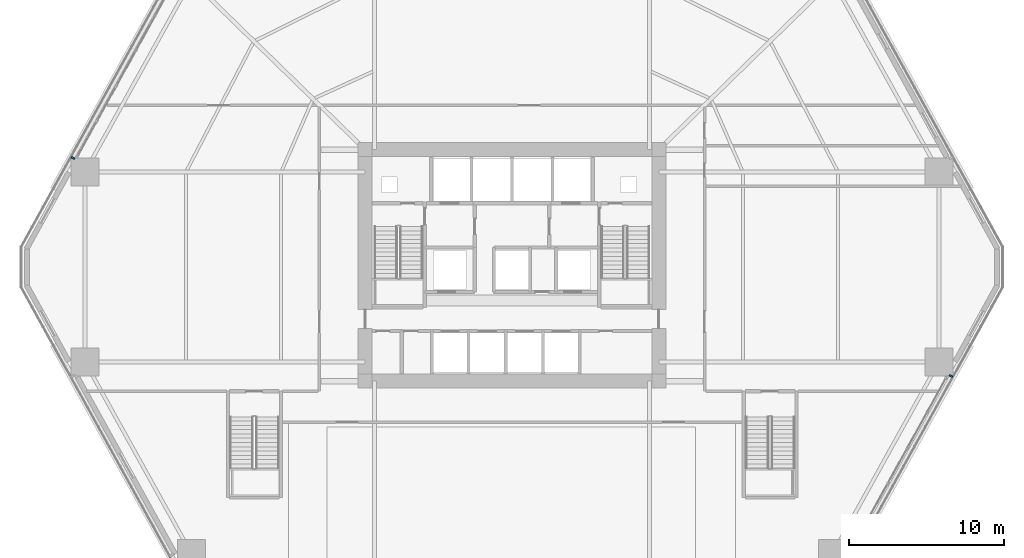
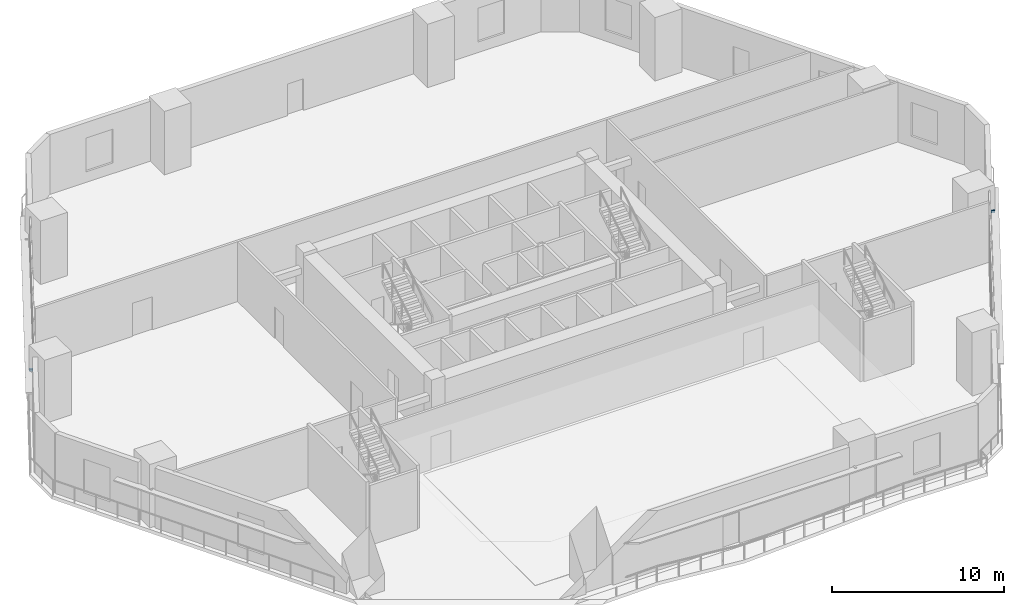
# One storey, part 13 of 21: 2 discrete accessories.
"""IFC4 building model written with IfcOpenShell, lengths in metres."""

from ifc_helpers import new_model, si_unit, direction, frame, origin, origin_2d, place, context, subcontext, project, spatial, rectangle, extrude, material, type_object, element, save


model = new_model("IFC4")

# Units and contexts
model_context = context("Model", 3, precision=1e-05, world=origin(), true_north=direction((0.0, 1.0)))
body_context = subcontext(model_context, "Body", "Model", "MODEL_VIEW")
ifc_project = project(units=[si_unit("LENGTHUNIT", "METRE"), si_unit("AREAUNIT", "SQUARE_METRE"), si_unit("VOLUMEUNIT", "CUBIC_METRE"), si_unit("PLANEANGLEUNIT", "RADIAN"), si_unit("MASSUNIT", "GRAM", prefix="KILO")], contexts=[model_context])

# Site, building, storey
site_placement = place(None, origin())
site = spatial("IfcSite", under=ifc_project, at=site_placement, CompositionType="ELEMENT")
building_placement = place(site_placement, origin())
building = spatial("IfcBuilding", under=site, at=building_placement, Name="Cinnabar Lancet Tower", CompositionType="ELEMENT")
storey_placement = place(building_placement, frame((0.0, 0.0, 6.0)))
storey = spatial("IfcBuildingStorey", under=building, at=storey_placement, Name="L01", CompositionType="ELEMENT", Elevation=6.0)

# Discrete accessories
ifc_material = material(Name="Stainless steel 316 facade fixing bracket", Category="steel")
discrete_accessory_type = type_object("IfcDiscreteAccessoryType", Name="ENV-ACC-BRK-180", PredefinedType="BRACKET", material=ifc_material)
for number, where, z_axis, x_axis, name in (
    (1, (60.658935546875, 18.781005859375, 2.60009765625), (0.0, 0.0, 1.0), (0.483679606683, 0.87524513028, 0.0), "L01 Face 2 Sunshade Bracket B"),
    (2, (4.14111328125, 32.819091796875, 2.60009765625), (0.0, 0.0, 1.0), (-0.483679606683, -0.87524513028, 0.0), "L01 Face 5 Sunshade Bracket B"),
):
    element("IfcDiscreteAccessory", number, at=place(storey_placement, frame(where, z_axis=z_axis, x_axis=x_axis)), inside=storey, type_object=discrete_accessory_type, Name=name, PredefinedType="BRACKET", context=body_context, shape_type="SweptSolid", body=[
        extrude(rectangle(XDim=0.1201171875, YDim=0.239990234375, at=origin_2d()), origin(), (0.0, 0.0, 1.0), 0.159912109375),
    ])

save(model, "model.ifc")
